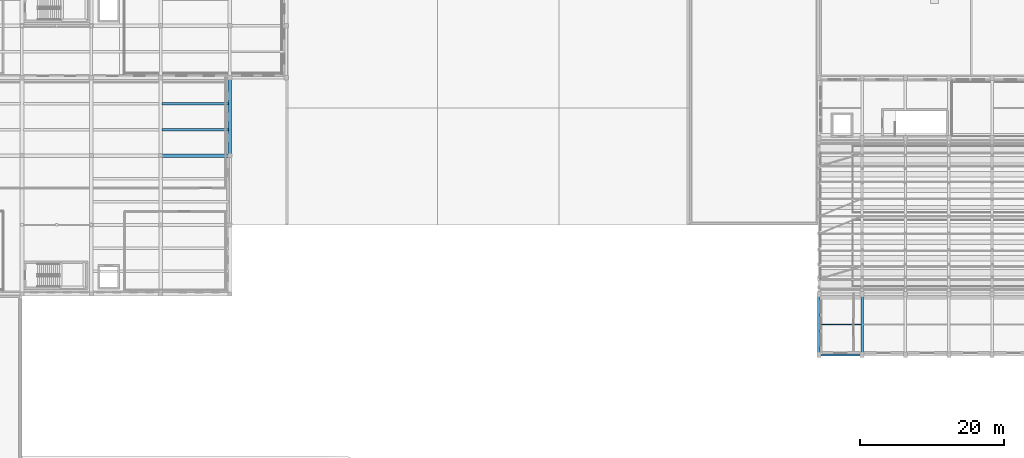
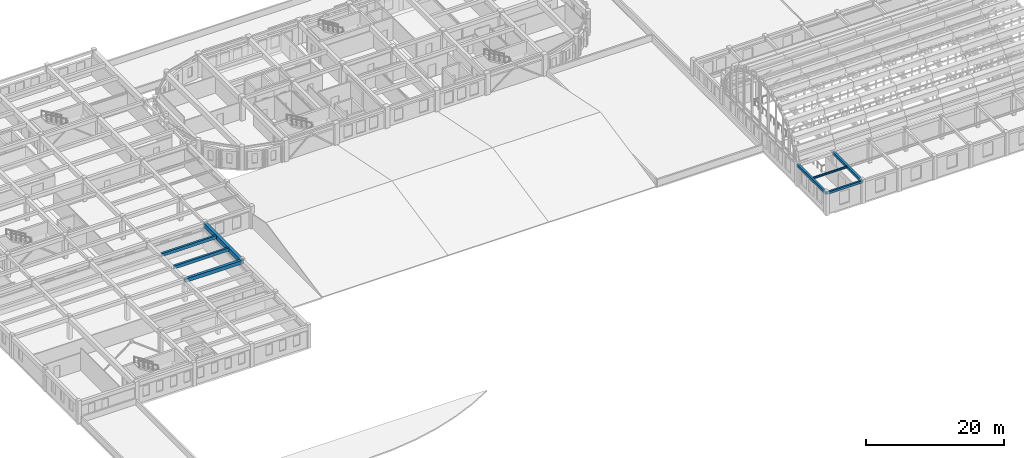
# One storey, part 2 of 46: 8 beams.
"""IFC4 building model written with IfcOpenShell, lengths in metres."""

from ifc_helpers import new_model, si_unit, direction, frame, origin, origin_2d, place, context, subcontext, project, spatial, rectangle, i_section, extrude, material, material_profile, profile_set, type_object, element, save


model = new_model("IFC4")

# Units and contexts
model_context = context("Model", 3, precision=1e-05, world=origin(), true_north=direction((0.0, 1.0)))
body_context = subcontext(model_context, "Body", "Model", "MODEL_VIEW")
ifc_project = project(units=[si_unit("LENGTHUNIT", "METRE"), si_unit("AREAUNIT", "SQUARE_METRE"), si_unit("VOLUMEUNIT", "CUBIC_METRE"), si_unit("PLANEANGLEUNIT", "RADIAN"), si_unit("MASSUNIT", "GRAM", prefix="KILO")], contexts=[model_context])

# Site, building, storey
site_placement = place(None, origin())
site = spatial("IfcSite", under=ifc_project, at=site_placement, CompositionType="ELEMENT")
building_placement = place(site_placement, origin())
building = spatial("IfcBuilding", under=site, at=building_placement, Name="Tarnavel Promenade Courthouse", CompositionType="ELEMENT")
storey_placement = place(building_placement, frame((0.0, 0.0, 14.39990234375)))
storey = spatial("IfcBuildingStorey", under=building, at=storey_placement, Name="L04", CompositionType="ELEMENT", Elevation=14.39990234375)

# Beams
ifc_material_1 = material(Name="Concrete C40/50", Category="concrete")
ifc_material_profile_1 = material_profile(ifc_material_1, rectangle(XDim=0.35009765625, YDim=0.550048828125, at=origin_2d()), Name="PT 350x550")
ifc_profile_set_1 = profile_set([ifc_material_profile_1], Name="Concrete C40/50")
beam_type_1 = type_object("IfcBeamType", Name="Concrete C40/50 BM-PT-350x550 (PT 350x550)", PredefinedType="JOIST", material=ifc_profile_set_1)
for number, where, z_axis, x_axis, name in (
    (1, (29.02001953125, 60.0, 3.6201171875), (1.0, 0.0, 0.0), (0.0, 1.0, 0.0), "L04 Secondary Floor Rib 2147"),
    (2, (29.02001953125, 63.60009765625, 3.6201171875), (1.0, 0.0, 0.0), (0.0, 1.0, 0.0), "L04 Secondary Floor Rib 2148"),
):
    element("IfcBeam", number, at=place(storey_placement, frame(where, z_axis=z_axis, x_axis=x_axis)), inside=storey, type_object=beam_type_1, Name=name, PredefinedType="JOIST", context=body_context, shape_type="SweptSolid", body=[
        extrude(rectangle(XDim=0.35009765625, YDim=0.550048828125, at=origin_2d()), origin(), (0.0, 0.0, 1.0), 9.159912109375),
    ])
ifc_material_profile_2 = material_profile(ifc_material_1, rectangle(XDim=0.5, YDim=0.800048828125, at=origin_2d()), Name="PT 500x800")
ifc_profile_set_2 = profile_set([ifc_material_profile_2], Name="Concrete C40/50")
beam_type_2 = type_object("IfcBeamType", Name="Concrete C40/50 BM-PT-500x800 (PT 500x800)", PredefinedType="T_BEAM", material=ifc_profile_set_2)
beam_1_placement = place(storey_placement, frame((38.39990234375, 56.39990234375, 3.4951171875), z_axis=(0.0, 1.0, 0.0), x_axis=(-1.0, 0.0, 0.0)))
element("IfcBeam", 3, at=beam_1_placement, inside=storey, type_object=beam_type_2, Name="L04 Transverse Girder 2090", PredefinedType="T_BEAM", context=body_context, shape_type="SweptSolid", body=[
    extrude(rectangle(XDim=0.5, YDim=0.800048828125, at=origin_2d()), origin(), (0.0, 0.0, 1.0), 10.800048828125),
])
ifc_material_profile_3 = material_profile(ifc_material_1, rectangle(XDim=0.35009765625, YDim=0.449951171875, at=origin_2d()), Name="RC 350x450")
ifc_profile_set_3 = profile_set([ifc_material_profile_3], Name="Concrete C40/50")
beam_type_3 = type_object("IfcBeamType", Name="Concrete C40/50 BM-RC-350x450 (RC 350x450)", PredefinedType="BEAM", material=ifc_profile_set_3)
for number, where, z_axis, x_axis, name in (
    (4, (120.0, 28.800048828125, 3.72998046875), (0.0, 1.0, 0.0), (-1.0, 0.0, 0.0), "L04 Transverse Girder 2117"),
    (5, (126.0, 28.800048828125, 3.72998046875), (0.0, 1.0, 0.0), (-1.0, 0.0, 0.0), "L04 Transverse Girder 2119"),
):
    element("IfcBeam", number, at=place(storey_placement, frame(where, z_axis=z_axis, x_axis=x_axis)), inside=storey, type_object=beam_type_3, Name=name, PredefinedType="BEAM", context=body_context, shape_type="SweptSolid", body=[
        extrude(rectangle(XDim=0.35009765625, YDim=0.449951171875, at=origin_2d()), origin(), (0.0, 0.0, 1.0), 8.39990234375),
    ])
ifc_material_profile_4 = material_profile(ifc_material_1, rectangle(XDim=0.449951171875, YDim=0.64990234375, at=origin_2d()), Name="RC 450x650")
ifc_profile_set_4 = profile_set([ifc_material_profile_4], Name="Concrete C40/50")
beam_type_4 = type_object("IfcBeamType", Name="Concrete C40/50 BM-RC-450x650 (RC 450x650)", PredefinedType="T_BEAM", material=ifc_profile_set_4)
beam_2_placement = place(storey_placement, frame((28.800048828125, 56.39990234375, 3.570068359375), z_axis=(1.0, 0.0, 0.0), x_axis=(0.0, 1.0, 0.0)))
element("IfcBeam", 6, at=beam_2_placement, inside=storey, type_object=beam_type_4, Name="L04 Primary Longitudinal Beam 2003", PredefinedType="T_BEAM", context=body_context, shape_type="SweptSolid", body=[
    extrude(rectangle(XDim=0.449951171875, YDim=0.64990234375, at=origin_2d()), origin(), (0.0, 0.0, 1.0), 9.599853515625),
])
ifc_material_profile_5 = material_profile(ifc_material_1, rectangle(XDim=0.300048828125, YDim=0.39990234375, at=origin_2d()), Name="RC 300x400")
ifc_profile_set_5 = profile_set([ifc_material_profile_5], Name="Concrete C40/50")
beam_type_5 = type_object("IfcBeamType", Name="Concrete C40/50 BM-SP-300x400 (RC 300x400)", PredefinedType="SPANDREL", material=ifc_profile_set_5)
beam_3_placement = place(storey_placement, frame((120.0, 28.800048828125, 3.755126953125), z_axis=(1.0, 0.0, 0.0), x_axis=(0.0, 1.0, 0.0)))
element("IfcBeam", 7, at=beam_3_placement, inside=storey, type_object=beam_type_5, Name="L04 Primary Longitudinal Beam 1980", PredefinedType="SPANDREL", context=body_context, shape_type="SweptSolid", body=[
    extrude(rectangle(XDim=0.300048828125, YDim=0.39990234375, at=origin_2d()), origin(), (0.0, 0.0, 1.0), 6.0),
])
ifc_material_2 = material(Name="Steel S355J2", Category="steel")
ifc_material_profile_6 = material_profile(ifc_material_2, i_section(OverallWidth=0.159912109375, OverallDepth=0.330078125, WebThickness=0.007568359375, FlangeThickness=0.011474609375, FilletRadius=0.01806640625, at=origin_2d()), Name="IPE 330")
ifc_profile_set_6 = profile_set([ifc_material_profile_6], Name="Steel S355J2")
beam_type_6 = type_object("IfcBeamType", Name="Steel S355J2 BM-ST-IPE330 (IPE 330)", PredefinedType="JOIST", material=ifc_profile_set_6)
beam_4_placement = place(storey_placement, frame((120.14501953125, 33.0, 3.7900390625), z_axis=(1.0, 0.0, 0.0), x_axis=(0.0, 1.0, 0.0)))
element("IfcBeam", 8, at=beam_4_placement, inside=storey, type_object=beam_type_6, Name="L04 Secondary Floor Rib 2194", PredefinedType="JOIST", context=body_context, shape_type="SweptSolid", body=[
    extrude(i_section(OverallWidth=0.159912109375, OverallDepth=0.330078125, WebThickness=0.007568359375, FlangeThickness=0.011474609375, FilletRadius=0.01806640625, at=origin_2d()), origin(), (0.0, 0.0, 1.0), 5.7099609375),
])

save(model, "model.ifc")
